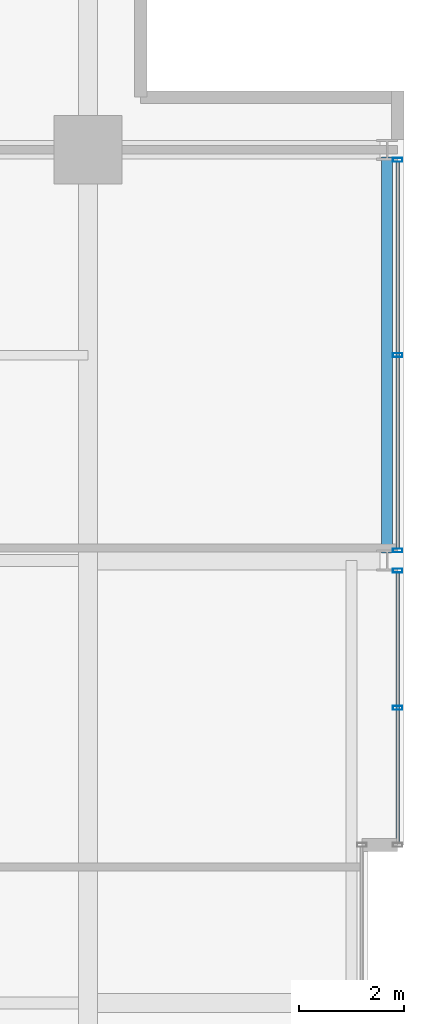
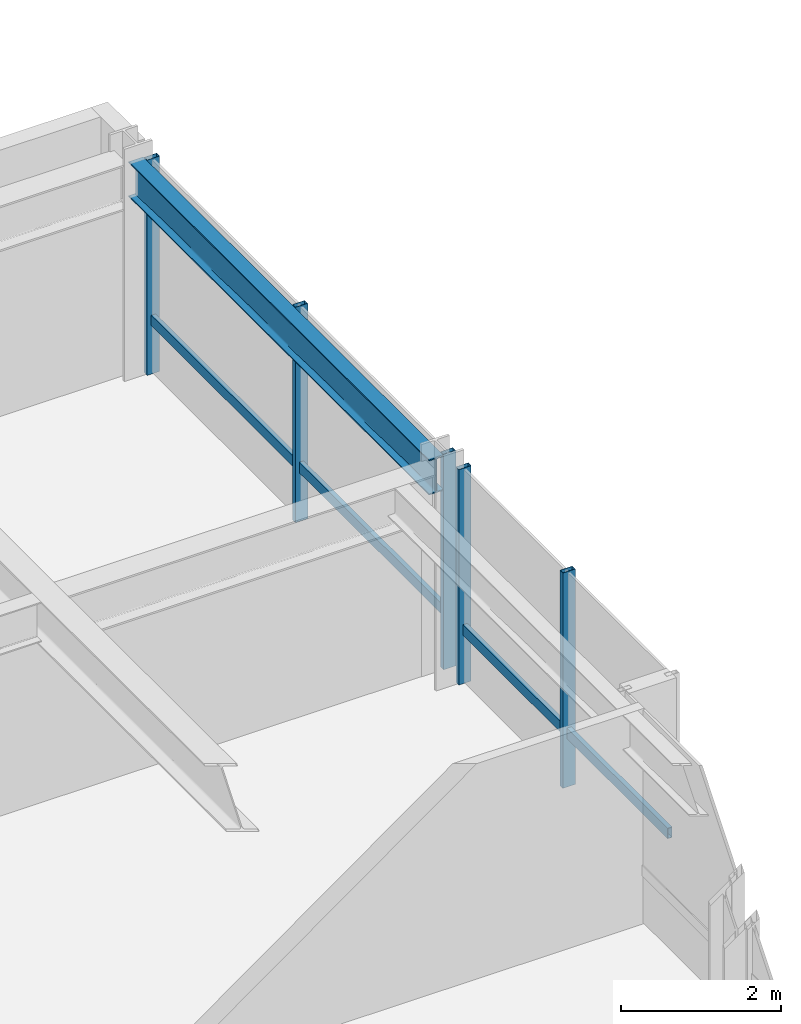
# One storey, part 23 of 32: 7 members, 1 beam, 2 elements without a shape of their own.
"""IFC4 building model written with IfcOpenShell, lengths in metres."""

import ifcopenshell
import ifcopenshell.guid

model = None  # the IFC model being written
_history = None  # IfcOwnerHistory: only IFC2X3 demands one
_inside = {}  # id of a spatial element -> (the spatial element, [elements in it])
_under = {}  # id of a project, library or spatial element -> (it, [spatial elements below it])
_declared = {}  # id of a project -> (the project, [libraries it declares])
_typed = {}  # id of a type object -> (the type object, [elements of that type])
_made_of = {}  # id of a material, layer set ... -> (it, [elements and type objects made of it])


def new_model(schema):
    """Start an empty IFC model of exactly this schema.

    Asked for "IFC4X3", IfcOpenShell would pick the latest addendum, in which some entities
    have other attributes; the version numbers below select the first issue.
    IFC2X3 requires an IfcOwnerHistory on every rooted entity: one is made here for all.
    """
    global model, _history
    if schema == "IFC4X3":
        model = ifcopenshell.file(schema_version=(4, 3, 0, 0))
    else:
        model = ifcopenshell.file(schema=schema)
    _inside.clear()
    _under.clear()
    _declared.clear()
    _typed.clear()
    _made_of.clear()
    _history = None
    if model.schema == "IFC2X3":
        org = make("IfcOrganization", Name="unknown")
        user = make(
            "IfcPersonAndOrganization",
            ThePerson=make("IfcPerson", FamilyName="unknown"),
            TheOrganization=org,
        )
        app = make(
            "IfcApplication",
            ApplicationDeveloper=org,
            Version="unknown",
            ApplicationFullName="unknown",
            ApplicationIdentifier="unknown",
        )
        _history = make(
            "IfcOwnerHistory",
            OwningUser=user,
            OwningApplication=app,
            ChangeAction="ADDED",
            CreationDate=0,
        )
    return model


def make(cls, **values):
    """One entity of the class cls with the attributes given. An attribute that is None is left unset."""
    return model.create_entity(
        cls, **{name: value for name, value in values.items() if value is not None}
    )


def rooted(cls, **values):
    """An entity with a GlobalId (a new one), such as an element, a storey or a relation."""
    return make(cls, GlobalId=ifcopenshell.guid.new(), OwnerHistory=_history, **values)


def si_unit(unit_type, name, prefix=None):
    """IfcSIUnit, for example si_unit("LENGTHUNIT", "METRE", prefix="MILLI")."""
    return make("IfcSIUnit", UnitType=unit_type, Prefix=prefix, Name=name)


def assignment(units):
    """IfcUnitAssignment: the units of a project."""
    return None if units is None else make("IfcUnitAssignment", Units=units)


def point(xyz):
    """IfcCartesianPoint."""
    return None if xyz is None else make("IfcCartesianPoint", Coordinates=xyz)


def direction(xyz):
    """IfcDirection."""
    return None if xyz is None else make("IfcDirection", DirectionRatios=xyz)


def frame(location, z_axis=None, x_axis=None):
    """IfcAxis2Placement3D, a coordinate frame: its origin and axes. An axis left out is left unset."""
    return make(
        "IfcAxis2Placement3D",
        Location=point(location),
        Axis=direction(z_axis),
        RefDirection=direction(x_axis),
    )


def frame_2d(location, x_axis=None):
    """IfcAxis2Placement2D, a coordinate frame in the plane: its origin and x axis."""
    return make(
        "IfcAxis2Placement2D", Location=point(location), RefDirection=direction(x_axis)
    )


def origin():
    """The frame at (0, 0, 0) with its axes left unset."""
    return frame((0.0, 0.0, 0.0))


def origin_2d():
    """The frame at (0, 0) in the plane with its x axis left unset."""
    return frame_2d((0.0, 0.0))


def place(relative_to, where):
    """IfcLocalPlacement: puts the frame where relative to a parent placement (None: the world)."""
    return make(
        "IfcLocalPlacement", PlacementRelTo=relative_to, RelativePlacement=where
    )


def context(
    kind, dimensions, precision=None, world=None, true_north=None, identifier=None
):
    """IfcGeometricRepresentationContext, for example the 3D "Model" context."""
    return make(
        "IfcGeometricRepresentationContext",
        ContextIdentifier=identifier,
        ContextType=kind,
        CoordinateSpaceDimension=dimensions,
        Precision=precision,
        WorldCoordinateSystem=world,
        TrueNorth=true_north,
    )


def subcontext(parent, identifier, kind, view, scale=None):
    """IfcGeometricRepresentationSubContext, for example "Body" below "Model"."""
    return make(
        "IfcGeometricRepresentationSubContext",
        ContextIdentifier=identifier,
        ContextType=kind,
        ParentContext=parent,
        TargetScale=scale,
        TargetView=view,
    )


def project(units=None, contexts=None):
    """IfcProject with its units and contexts."""
    return rooted(
        "IfcProject",
        Name="project",
        RepresentationContexts=contexts,
        UnitsInContext=assignment(units),
    )


def spatial(cls, under=None, at=None, **own):
    """A site, building, storey or space (cls), placed at a placement, below another one or the project."""
    s = rooted(cls, ObjectPlacement=at, **own)
    if under is not None:
        _under.setdefault(under.id(), (under, []))[1].append(s)
    return s


def profile(cls, at=None, kind="AREA", **sizes):
    """A parametric profile (cls). Its sizes go by their IFC names, for example OverallWidth=200.0."""
    return make(cls, ProfileType=kind, Position=at, **sizes)


def hollow_rectangle(**sizes):
    """IfcRectangleHollowProfileDef."""
    return profile("IfcRectangleHollowProfileDef", **sizes)


def i_section(**sizes):
    """IfcIShapeProfileDef."""
    return profile("IfcIShapeProfileDef", **sizes)


def extrude(swept, where, along, depth):
    """IfcExtrudedAreaSolid: the profile swept, set in the frame where, extruded along a direction by depth."""
    return make(
        "IfcExtrudedAreaSolid",
        SweptArea=swept,
        Position=where,
        ExtrudedDirection=direction(along),
        Depth=depth,
    )


def shape(context_of_items, identifier, shape_type, items):
    """IfcShapeRepresentation: the items that make up one representation, for example the "Body"."""
    return make(
        "IfcShapeRepresentation",
        ContextOfItems=context_of_items,
        RepresentationIdentifier=identifier,
        RepresentationType=shape_type,
        Items=items,
    )


def material(Name=None, Category=None):
    """IfcMaterial."""
    return make("IfcMaterial", Name=Name, Category=Category)


def layer(
    of_material, thickness, ventilated=None, Name=None, Category=None, Priority=None
):
    """IfcMaterialLayer: one layer of a wall or slab, of a material (None: an air gap)."""
    return make(
        "IfcMaterialLayer",
        Material=of_material,
        LayerThickness=thickness,
        IsVentilated=ventilated,
        Name=Name,
        Category=Category,
        Priority=Priority,
    )


def layer_set(layers, Name=None):
    """IfcMaterialLayerSet."""
    return make("IfcMaterialLayerSet", MaterialLayers=layers, LayerSetName=Name)


def material_profile(
    of_material, cross_section, Name=None, Category=None, Priority=None
):
    """IfcMaterialProfile: a cross section and its material."""
    return make(
        "IfcMaterialProfile",
        Name=Name,
        Material=of_material,
        Profile=cross_section,
        Priority=Priority,
        Category=Category,
    )


def profile_set(profiles, Name=None, composite=None):
    """IfcMaterialProfileSet."""
    return make(
        "IfcMaterialProfileSet",
        Name=Name,
        MaterialProfiles=profiles,
        CompositeProfile=composite,
    )


def made_of(thing, what):
    """Note that an element or type object is made of a material, layer set ...; save() writes the relation."""
    if what is not None:
        _made_of.setdefault(what.id(), (what, []))[1].append(thing)
    return thing


def type_object(cls, material=None, **own):
    """A type object (cls), such as IfcWallType, which elements share."""
    return made_of(rooted(cls, **own), material)


def element(
    cls,
    number,
    at=None,
    inside=None,
    cuts=None,
    type_object=None,
    material=None,
    context=None,
    identifier="Body",
    shape_type=None,
    held_by="IfcProductDefinitionShape",
    body=None,
    shapes=None,
    **own,
):
    """One element of the class cls, such as IfcWall. Its Tag is "e" and its number.

    at: its placement. inside: the storey or other place that contains it. cuts: it is an
    opening in that element (IfcRelVoidsElement). A single representation is given by context,
    identifier, shape_type and body (its items); several are given by shapes. held_by: the class
    of the entity that holds the representations. save() writes the other relations.
    """
    e = rooted(cls, Tag="e%d" % number, ObjectPlacement=at, **own)
    if body is not None:
        shapes = [shape(context, identifier, shape_type, body)]
    if shapes is not None:
        e.Representation = make(held_by, Representations=shapes)
    if inside is not None:
        _inside.setdefault(inside.id(), (inside, []))[1].append(e)
    if cuts is not None:
        rooted(
            "IfcRelVoidsElement", RelatingBuildingElement=cuts, RelatedOpeningElement=e
        )
    if type_object is not None:
        _typed.setdefault(type_object.id(), (type_object, []))[1].append(e)
    return made_of(e, material)


def aggregate(whole, parts):
    """IfcRelAggregates: a whole, such as a stair, and the parts it consists of."""
    return rooted("IfcRelAggregates", RelatingObject=whole, RelatedObjects=parts)


def save(model, path):
    """Write the relations noted so far, then the file.

    IfcRelAggregates (storeys below a building ...), IfcRelContainedInSpatialStructure (elements
    in a storey), IfcRelDefinesByType, IfcRelAssociatesMaterial and IfcRelDeclares: one each for
    every whole, place, type object, material and project.
    """
    for whole, parts in _under.values():
        aggregate(whole, parts)
    for where, things in _inside.values():
        rooted(
            "IfcRelContainedInSpatialStructure",
            RelatedElements=things,
            RelatingStructure=where,
        )
    for kind, things in _typed.values():
        rooted("IfcRelDefinesByType", RelatedObjects=things, RelatingType=kind)
    for what, things in _made_of.values():
        rooted("IfcRelAssociatesMaterial", RelatedObjects=things, RelatingMaterial=what)
    for by, libraries in _declared.values():
        rooted("IfcRelDeclares", RelatingContext=by, RelatedDefinitions=libraries)
    model.write(path)


model = new_model("IFC4")

# Units and contexts
model_context = context("Model", 3, precision=1e-05, world=origin(), true_north=direction((0.0, 1.0)))
body_context = subcontext(model_context, "Body", "Model", "MODEL_VIEW")
ifc_project = project(units=[si_unit("LENGTHUNIT", "METRE"), si_unit("AREAUNIT", "SQUARE_METRE"), si_unit("VOLUMEUNIT", "CUBIC_METRE"), si_unit("PLANEANGLEUNIT", "RADIAN"), si_unit("MASSUNIT", "GRAM", prefix="KILO")], contexts=[model_context])

# Site, building, storey
site_placement = place(None, origin())
site = spatial("IfcSite", under=ifc_project, at=site_placement, CompositionType="ELEMENT")
building_placement = place(site_placement, origin())
building = spatial("IfcBuilding", under=site, at=building_placement, Name="Drelvath Grand Hotel", CompositionType="ELEMENT")
storey_placement = place(building_placement, frame((0.0, 0.0, 193.0)))
storey = spatial("IfcBuildingStorey", under=building, at=storey_placement, Name="L50", CompositionType="ELEMENT", Elevation=193.0)

# Curtain wall, member
ifc_material_1 = material(Name="Brushed Pale-Silver Anodised Aluminium Frame", Category="aluminium")
ifc_layer = layer(ifc_material_1, 0.199951171875)
ifc_layer_set = layer_set([ifc_layer], Name="Brushed Pale-Silver Anodised Aluminium Frame")
curtain_wall_type = type_object("IfcCurtainWallType", Name="Stick Curtain Wall CW-04 Brushed Silver Upper-Mid", PredefinedType="NOTDEFINED", material=ifc_layer_set)
curtain_wall_1_placement = place(storey_placement, origin())
curtain_wall_1 = element("IfcCurtainWall", 1, at=curtain_wall_1_placement, inside=storey, type_object=curtain_wall_type, Name="L50 CW-04 Curtain Wall CW04-L50-EN1", PredefinedType="NOTDEFINED")
ifc_material_profile_1 = material_profile(ifc_material_1, hollow_rectangle(XDim=0.06494140625, YDim=0.159912109375, WallThickness=0.00390625, at=origin_2d()), Name="HSS160X65X4")
ifc_profile_set_1 = profile_set([ifc_material_profile_1], Name="Brushed Pale-Silver Anodised Aluminium Frame")
member_type_1 = type_object("IfcMemberType", Name="Curtain Wall Horizontal Transom CW-04 HSS160X65X4", PredefinedType="USERDEFINED", material=ifc_profile_set_1)
member_1_placement = place(storey_placement, frame((22.080078125, 35.16845703125, 0.822509765625), z_axis=(0.0, -1.0, 0.0), x_axis=(1.0, 0.0, 0.0)))
member_1 = element("IfcMember", 2, at=member_1_placement, type_object=member_type_1, Name="CW04-L50-EN1 Sill Transom", ObjectType="TRANSOM", PredefinedType="USERDEFINED", context=body_context, shape_type="SweptSolid", body=[
    extrude(hollow_rectangle(XDim=0.06494140625, YDim=0.159912109375, WallThickness=0.00390625, at=origin_2d()), origin(), (0.0, 0.0, 1.0), 5.12841796875),
])

curtain_wall_2_placement = place(storey_placement, origin())
curtain_wall_2 = element("IfcCurtainWall", 3, at=curtain_wall_2_placement, inside=storey, type_object=curtain_wall_type, Name="L50 CW-04 Curtain Wall CW04-L50-EN2", PredefinedType="NOTDEFINED")
member_2_placement = place(storey_placement, frame((22.080078125, 42.968505859375, 0.822509765625), z_axis=(0.0, -1.0, 0.0), x_axis=(1.0, 0.0, 0.0)))
member_2 = element("IfcMember", 4, at=member_2_placement, type_object=member_type_1, Name="CW04-L50-EN2 Sill Transom", ObjectType="TRANSOM", PredefinedType="USERDEFINED", context=body_context, shape_type="SweptSolid", body=[
    extrude(hollow_rectangle(XDim=0.06494140625, YDim=0.159912109375, WallThickness=0.00390625, at=origin_2d()), origin(), (0.0, 0.0, 1.0), 7.3369140625),
])

# Member
ifc_material_profile_2 = material_profile(ifc_material_1, hollow_rectangle(XDim=0.074951171875, YDim=0.179931640625, WallThickness=0.0048828125, at=origin_2d()), Name="HSS180X75X5")
ifc_profile_set_2 = profile_set([ifc_material_profile_2], Name="Brushed Pale-Silver Anodised Aluminium Frame")
member_type_2 = type_object("IfcMemberType", Name="Curtain Wall Vertical Mullion CW-04 HSS180X75X5", PredefinedType="MULLION", material=ifc_profile_set_2)
member_3_placement = place(storey_placement, frame((22.080078125, 35.20849609375, 0.0), z_axis=(0.0, 0.0, 1.0), x_axis=(0.0, 1.0, 0.0)))
member_3 = element("IfcMember", 5, at=member_3_placement, type_object=member_type_2, Name="CW04-L50-EN1 Mullion 1", PredefinedType="MULLION", context=body_context, shape_type="SweptSolid", body=[
    extrude(hollow_rectangle(XDim=0.074951171875, YDim=0.179931640625, WallThickness=0.0048828125, at=origin_2d()), origin(), (0.0, 0.0, 1.0), 3.2900390625),
])

member_4_placement = place(storey_placement, frame((22.080078125, 32.604248046875, 0.0), z_axis=(0.0, 0.0, 1.0), x_axis=(0.0, 1.0, 0.0)))
member_4 = element("IfcMember", 6, at=member_4_placement, type_object=member_type_2, Name="CW04-L50-EN1 Mullion 2", PredefinedType="MULLION", context=body_context, shape_type="SweptSolid", body=[
    extrude(hollow_rectangle(XDim=0.074951171875, YDim=0.179931640625, WallThickness=0.0048828125, at=origin_2d()), origin(), (0.0, 0.0, 1.0), 3.2900390625),
])

aggregate(curtain_wall_1, [member_3, member_4, member_1])

member_5_placement = place(storey_placement, frame((22.080078125, 43.00830078125, 0.0), z_axis=(0.0, 0.0, 1.0), x_axis=(0.0, 1.0, 0.0)))
member_5 = element("IfcMember", 7, at=member_5_placement, type_object=member_type_2, Name="CW04-L50-EN2 Mullion 1", PredefinedType="MULLION", context=body_context, shape_type="SweptSolid", body=[
    extrude(hollow_rectangle(XDim=0.074951171875, YDim=0.179931640625, WallThickness=0.0048828125, at=origin_2d()), origin(), (0.0, 0.0, 1.0), 3.2900390625),
])

member_6_placement = place(storey_placement, frame((22.080078125, 39.300048828125, 0.0), z_axis=(0.0, 0.0, 1.0), x_axis=(0.0, 1.0, 0.0)))
member_6 = element("IfcMember", 8, at=member_6_placement, type_object=member_type_2, Name="CW04-L50-EN2 Mullion 2", PredefinedType="MULLION", context=body_context, shape_type="SweptSolid", body=[
    extrude(hollow_rectangle(XDim=0.074951171875, YDim=0.179931640625, WallThickness=0.0048828125, at=origin_2d()), origin(), (0.0, 0.0, 1.0), 3.2900390625),
])

member_7_placement = place(storey_placement, frame((22.080078125, 35.591552734375, 0.0), z_axis=(0.0, 0.0, 1.0), x_axis=(0.0, 1.0, 0.0)))
member_7 = element("IfcMember", 9, at=member_7_placement, type_object=member_type_2, Name="CW04-L50-EN2 Mullion 3", PredefinedType="MULLION", context=body_context, shape_type="SweptSolid", body=[
    extrude(hollow_rectangle(XDim=0.074951171875, YDim=0.179931640625, WallThickness=0.0048828125, at=origin_2d()), origin(), (0.0, 0.0, 1.0), 3.2900390625),
])

aggregate(curtain_wall_2, [member_5, member_6, member_7, member_2])

# Beam
ifc_material_2 = material(Name="Steel ASTM A992 Gr 50", Category="steel")
ifc_material_profile_3 = material_profile(ifc_material_2, i_section(OverallWidth=0.210205078125, OverallDepth=0.53662109375, WebThickness=0.010986328125, FlangeThickness=0.017333984375, FilletRadius=0.01806640625, at=origin_2d()), Name="W21X68")
ifc_profile_set_3 = profile_set([ifc_material_profile_3], Name="Steel ASTM A992 Gr 50")
beam_type = type_object("IfcBeamType", Name="Perimeter Spandrel Beam W21X68", PredefinedType="SPANDREL", material=ifc_profile_set_3)
beam_placement = place(storey_placement, frame((21.8798828125, 35.5400390625, 3.021484375), z_axis=(0.0, 1.0, 0.0), x_axis=(-1.0, 0.0, 0.0)))
element("IfcBeam", 10, at=beam_placement, inside=storey, type_object=beam_type, Name="L50 Spandrel East N", PredefinedType="SPANDREL", context=body_context, shape_type="SweptSolid", body=[
    extrude(i_section(OverallWidth=0.210205078125, OverallDepth=0.53662109375, WebThickness=0.010986328125, FlangeThickness=0.017333984375, FilletRadius=0.01806640625, at=origin_2d()), origin(), (0.0, 0.0, 1.0), 7.52001953125),
])

save(model, "model.ifc")
